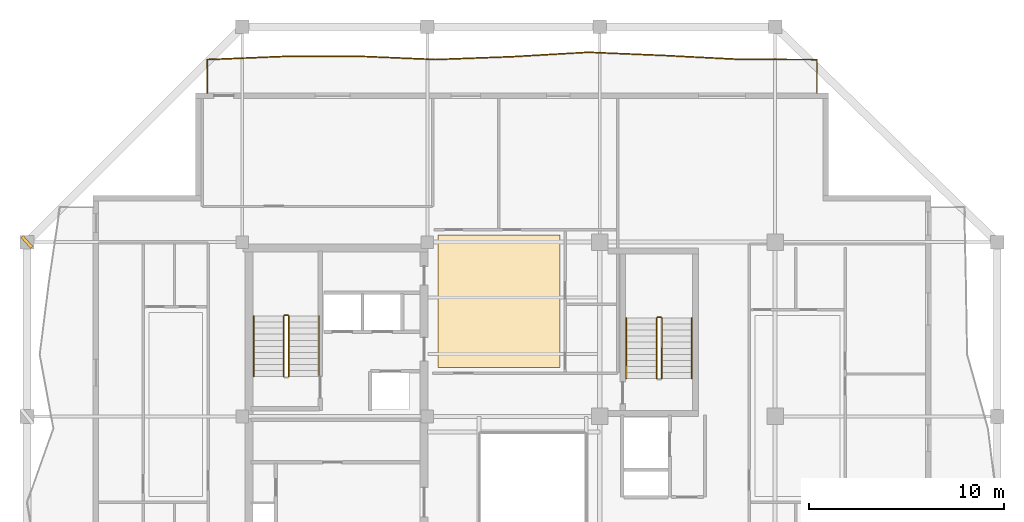
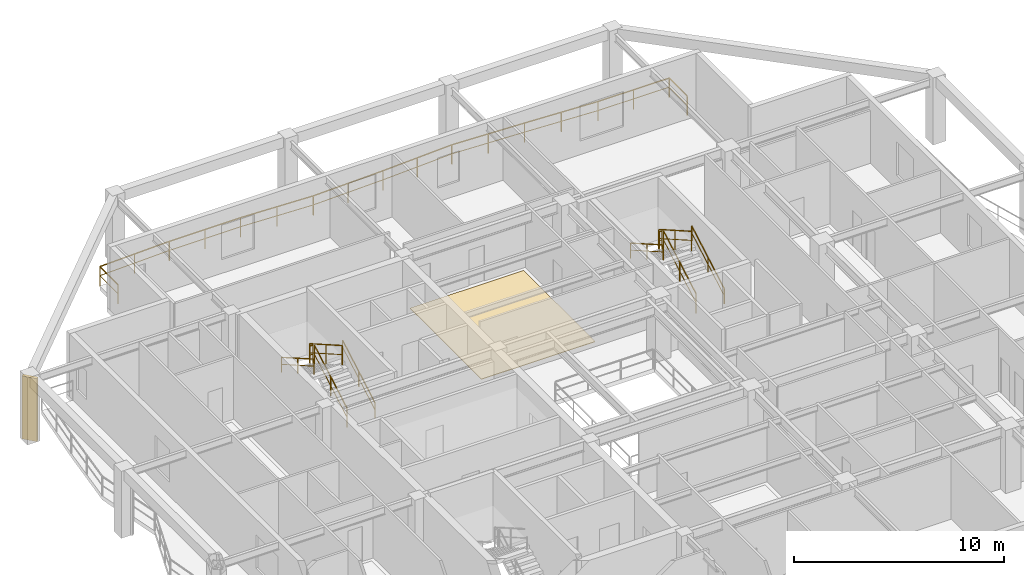
# One storey, part 10 of 11: 11 railings, 1 covering, 1 shading device.
"""IFC4 building model written with IfcOpenShell, lengths in metres."""

from ifc_helpers import new_model, si_unit, direction, frame, origin, origin_2d, place, context, subcontext, project, spatial, polyline, rectangle, outline, extrude, material, layer, layer_set, type_object, element, save


model = new_model("IFC4")

# Units and contexts
model_context = context("Model", 3, precision=1e-05, world=origin(), true_north=direction((0.0, 1.0)))
body_context = subcontext(model_context, "Body", "Model", "MODEL_VIEW")
ifc_project = project(units=[si_unit("LENGTHUNIT", "METRE"), si_unit("AREAUNIT", "SQUARE_METRE"), si_unit("VOLUMEUNIT", "CUBIC_METRE"), si_unit("PLANEANGLEUNIT", "RADIAN"), si_unit("MASSUNIT", "GRAM", prefix="KILO")], contexts=[model_context])

# Site, building, storey
site_placement = place(None, origin())
site = spatial("IfcSite", under=ifc_project, at=site_placement, CompositionType="ELEMENT")
building_placement = place(site_placement, origin())
building = spatial("IfcBuilding", under=site, at=building_placement, Name="Kundavana Baori Tower", CompositionType="ELEMENT")
storey_placement = place(building_placement, frame((0.0, 0.0, 221.89990234375)))
storey = spatial("IfcBuildingStorey", under=building, at=storey_placement, Name="L54", CompositionType="ELEMENT", Elevation=221.89990234375)

# Covering
ifc_material_1 = material(Name="Honed Kota Stone and Terrazzo Flooring", Category="masonry")
ifc_layer = layer(ifc_material_1, 0.030029296875, Name="COV-INT-FLR")
ifc_layer_set = layer_set([ifc_layer], Name="Honed Kota Stone and Terrazzo Flooring")
covering_type = type_object("IfcCoveringType", Name="COV-INT-FLR", PredefinedType="FLOORING", material=ifc_layer_set)
covering_placement = place(storey_placement, origin())
element("IfcCovering", 1, at=covering_placement, inside=storey, type_object=covering_type, Name="L54 Room Finished Stone Flooring 4", PredefinedType="FLOORING", context=body_context, shape_type="SweptSolid", body=[
    extrude(outline(polyline([(25.5, 35.5), (31.75, 35.5), (31.75, 42.31005859375), (25.5, 42.31005859375), (25.5, 35.5)])), origin(), (0.0, 0.0, 1.0), 0.030029296875),
])

# Railings
ifc_material_2 = material(Name="Architectural Patinated Bronze Metalwork")
railing_type_1 = type_object("IfcRailingType", Name="RL-BAL-1150", PredefinedType="BALUSTRADE", material=ifc_material_2)
railing_1_placement = place(storey_placement, frame((13.64990234375, 49.60009765625, 0.0)))
element("IfcRailing", 2, at=railing_1_placement, inside=storey, type_object=railing_type_1, Name="L54 Loggia Balcony Balustrade N", PredefinedType="BALUSTRADE", context=body_context, shape_type="SweptSolid", body=[
    extrude(rectangle(XDim=0.048095703125, YDim=0.048095703125, at=origin_2d()), frame((0.0, 0.0, 1.1259765625), z_axis=(0.0, 1.0, 0.0), x_axis=(-1.0, 0.0, 0.0)), (0.0, 0.0, 1.0), 1.719970703125),
    extrude(rectangle(XDim=0.03125, YDim=0.03125, at=origin_2d()), frame((0.0, 0.0, 0.597900390625), z_axis=(0.0, 1.0, 0.0), x_axis=(-1.0, 0.0, 0.0)), (0.0, 0.0, 1.0), 1.719970703125),
    extrude(rectangle(XDim=0.048095703125, YDim=0.048095703125, at=origin_2d()), frame((0.0, 1.719970703125, 1.1259765625), z_axis=(0.99915540504, 0.04109107663, 0.0), x_axis=(-0.04109107663, 0.99915540504, 0.0)), (0.0, 0.0, 1.0), 3.91552734375),
    extrude(rectangle(XDim=0.03125, YDim=0.03125, at=origin_2d()), frame((0.0, 1.719970703125, 0.597900390625), z_axis=(0.99915540504, 0.04109107663, 0.0), x_axis=(-0.04109107663, 0.99915540504, 0.0)), (0.0, 0.0, 1.0), 3.91552734375),
    extrude(rectangle(XDim=0.048095703125, YDim=0.048095703125, at=origin_2d()), frame((3.912109375, 1.880859375, 1.1259765625), z_axis=(0.999997335516, 0.002308454044, 0.0), x_axis=(-0.002308454044, 0.999997335516, 0.0)), (0.0, 0.0, 1.0), 3.9130859375),
    extrude(rectangle(XDim=0.03125, YDim=0.03125, at=origin_2d()), frame((3.912109375, 1.880859375, 0.597900390625), z_axis=(0.999997335516, 0.002308454044, 0.0), x_axis=(-0.002308454044, 0.999997335516, 0.0)), (0.0, 0.0, 1.0), 3.9130859375),
    extrude(rectangle(XDim=0.048095703125, YDim=0.048095703125, at=origin_2d()), frame((7.8251953125, 1.889892578125, 1.1259765625), z_axis=(0.999101128757, -0.042390264401, 0.0), x_axis=(0.042390264401, 0.999101128757, 0.0)), (0.0, 0.0, 1.0), 3.916259765625),
    extrude(rectangle(XDim=0.03125, YDim=0.03125, at=origin_2d()), frame((7.8251953125, 1.889892578125, 0.597900390625), z_axis=(0.999101128757, -0.042390264401, 0.0), x_axis=(0.042390264401, 0.999101128757, 0.0)), (0.0, 0.0, 1.0), 3.916259765625),
    extrude(rectangle(XDim=0.048095703125, YDim=0.048095703125, at=origin_2d()), frame((11.738037109375, 1.723876953125, 1.1259765625), z_axis=(0.99930437184, 0.037293061306, 0.0), x_axis=(-0.037293061306, 0.99930437184, 0.0)), (0.0, 0.0, 1.0), 3.914794921875),
    extrude(rectangle(XDim=0.03125, YDim=0.03125, at=origin_2d()), frame((11.738037109375, 1.723876953125, 0.597900390625), z_axis=(0.99930437184, 0.037293061306, 0.0), x_axis=(-0.037293061306, 0.99930437184, 0.0)), (0.0, 0.0, 1.0), 3.914794921875),
    extrude(rectangle(XDim=0.048095703125, YDim=0.048095703125, at=origin_2d()), frame((15.650146484375, 1.869873046875, 1.1259765625), z_axis=(0.99833504757, 0.057681303678, 0.0), x_axis=(-0.057681303678, 0.99833504757, 0.0)), (0.0, 0.0, 1.0), 3.91943359375),
    extrude(rectangle(XDim=0.03125, YDim=0.03125, at=origin_2d()), frame((15.650146484375, 1.869873046875, 0.597900390625), z_axis=(0.99833504757, 0.057681303678, 0.0), x_axis=(-0.057681303678, 0.99833504757, 0.0)), (0.0, 0.0, 1.0), 3.91943359375),
    extrude(rectangle(XDim=0.048095703125, YDim=0.048095703125, at=origin_2d()), frame((19.56298828125, 2.095947265625, 1.1259765625), z_axis=(0.999111326348, -0.042149229694, 0.0), x_axis=(0.042149229694, 0.999111326348, 0.0)), (0.0, 0.0, 1.0), 3.91552734375),
    extrude(rectangle(XDim=0.03125, YDim=0.03125, at=origin_2d()), frame((19.56298828125, 2.095947265625, 0.597900390625), z_axis=(0.999111326348, -0.042149229694, 0.0), x_axis=(0.042149229694, 0.999111326348, 0.0)), (0.0, 0.0, 1.0), 3.91552734375),
    extrude(rectangle(XDim=0.048095703125, YDim=0.048095703125, at=origin_2d()), frame((23.47509765625, 1.930908203125, 1.1259765625), z_axis=(0.998684310969, -0.051280084098, 0.0), x_axis=(0.051280084098, 0.998684310969, 0.0)), (0.0, 0.0, 1.0), 3.918212890625),
    extrude(rectangle(XDim=0.03125, YDim=0.03125, at=origin_2d()), frame((23.47509765625, 1.930908203125, 0.597900390625), z_axis=(0.998684310969, -0.051280084098, 0.0), x_axis=(0.051280084098, 0.998684310969, 0.0)), (0.0, 0.0, 1.0), 3.918212890625),
    extrude(rectangle(XDim=0.048095703125, YDim=0.048095703125, at=origin_2d()), frame((27.38818359375, 1.72998046875, 1.1259765625), z_axis=(0.999996726232, -0.002558813317, 0.0), x_axis=(0.002558813317, 0.999996726232, 0.0)), (0.0, 0.0, 1.0), 3.911865234375),
    extrude(rectangle(XDim=0.03125, YDim=0.03125, at=origin_2d()), frame((27.38818359375, 1.72998046875, 0.597900390625), z_axis=(0.999996726232, -0.002558813317, 0.0), x_axis=(0.002558813317, 0.999996726232, 0.0)), (0.0, 0.0, 1.0), 3.911865234375),
    extrude(rectangle(XDim=0.048095703125, YDim=0.048095703125, at=origin_2d()), frame((31.300048828125, 1.719970703125, 1.1259765625), z_axis=(0.0, -1.0, 0.0), x_axis=(1.0, 0.0, 0.0)), (0.0, 0.0, 1.0), 1.719970703125),
    extrude(rectangle(XDim=0.03125, YDim=0.03125, at=origin_2d()), frame((31.300048828125, 1.719970703125, 0.597900390625), z_axis=(0.0, -1.0, 0.0), x_axis=(1.0, 0.0, 0.0)), (0.0, 0.0, 1.0), 1.719970703125),
    extrude(rectangle(XDim=0.0419921875, YDim=0.0419921875, at=origin_2d()), origin(), (0.0, 0.0, 1.0), 1.101806640625),
    extrude(rectangle(XDim=0.0419921875, YDim=0.0419921875, at=origin_2d()), frame((0.0, 1.719970703125, 0.0)), (0.0, 0.0, 1.0), 1.101806640625),
    extrude(rectangle(XDim=0.0419921875, YDim=0.0419921875, at=origin_2d()), frame((1.9560546875, 1.80029296875, 0.0)), (0.0, 0.0, 1.0), 1.101806640625),
    extrude(rectangle(XDim=0.0419921875, YDim=0.0419921875, at=origin_2d()), frame((3.912109375, 1.880859375, 0.0)), (0.0, 0.0, 1.0), 1.101806640625),
    extrude(rectangle(XDim=0.0419921875, YDim=0.0419921875, at=origin_2d()), frame((5.86865234375, 1.88525390625, 0.0)), (0.0, 0.0, 1.0), 1.101806640625),
    extrude(rectangle(XDim=0.0419921875, YDim=0.0419921875, at=origin_2d()), frame((7.8251953125, 1.889892578125, 0.0)), (0.0, 0.0, 1.0), 1.101806640625),
    extrude(rectangle(XDim=0.0419921875, YDim=0.0419921875, at=origin_2d()), frame((9.78173828125, 1.806884765625, 0.0)), (0.0, 0.0, 1.0), 1.101806640625),
    extrude(rectangle(XDim=0.0419921875, YDim=0.0419921875, at=origin_2d()), frame((11.738037109375, 1.723876953125, 0.0)), (0.0, 0.0, 1.0), 1.101806640625),
    extrude(rectangle(XDim=0.0419921875, YDim=0.0419921875, at=origin_2d()), frame((13.694091796875, 1.796875, 0.0)), (0.0, 0.0, 1.0), 1.101806640625),
    extrude(rectangle(XDim=0.0419921875, YDim=0.0419921875, at=origin_2d()), frame((15.650146484375, 1.869873046875, 0.0)), (0.0, 0.0, 1.0), 1.101806640625),
    extrude(rectangle(XDim=0.0419921875, YDim=0.0419921875, at=origin_2d()), frame((17.6064453125, 1.98291015625, 0.0)), (0.0, 0.0, 1.0), 1.101806640625),
    extrude(rectangle(XDim=0.0419921875, YDim=0.0419921875, at=origin_2d()), frame((19.56298828125, 2.095947265625, 0.0)), (0.0, 0.0, 1.0), 1.101806640625),
    extrude(rectangle(XDim=0.0419921875, YDim=0.0419921875, at=origin_2d()), frame((21.51904296875, 2.013427734375, 0.0)), (0.0, 0.0, 1.0), 1.101806640625),
    extrude(rectangle(XDim=0.0419921875, YDim=0.0419921875, at=origin_2d()), frame((23.47509765625, 1.930908203125, 0.0)), (0.0, 0.0, 1.0), 1.101806640625),
    extrude(rectangle(XDim=0.0419921875, YDim=0.0419921875, at=origin_2d()), frame((25.431640625, 1.83056640625, 0.0)), (0.0, 0.0, 1.0), 1.101806640625),
    extrude(rectangle(XDim=0.0419921875, YDim=0.0419921875, at=origin_2d()), frame((27.38818359375, 1.72998046875, 0.0)), (0.0, 0.0, 1.0), 1.101806640625),
    extrude(rectangle(XDim=0.0419921875, YDim=0.0419921875, at=origin_2d()), frame((29.34423828125, 1.72509765625, 0.0)), (0.0, 0.0, 1.0), 1.101806640625),
    extrude(rectangle(XDim=0.0419921875, YDim=0.0419921875, at=origin_2d()), frame((31.300048828125, 1.719970703125, 0.0)), (0.0, 0.0, 1.0), 1.101806640625),
    extrude(rectangle(XDim=0.0419921875, YDim=0.0419921875, at=origin_2d()), frame((31.300048828125, 0.0, 0.0)), (0.0, 0.0, 1.0), 1.101806640625),
])
ifc_material_3 = material(Name="Architectural Patinated Bronze Metalwork")
railing_type_2 = type_object("IfcRailingType", Name="RL-GRD-1150", PredefinedType="GUARDRAIL", material=ifc_material_3)
railing_2_placement = place(storey_placement, frame((17.840087890625, 35.050048828125, 0.177490234375)))
element("IfcRailing", 3, at=railing_2_placement, inside=storey, type_object=railing_type_2, Name="L54 ST2 stair guard 1", PredefinedType="GUARDRAIL", context=body_context, shape_type="SweptSolid", body=[
    extrude(rectangle(XDim=0.048095703125, YDim=0.048095703125, at=origin_2d()), frame((0.0, 0.0, 1.1259765625), z_axis=(0.0, 0.868079009454, 0.496426060301), x_axis=(-1.0, 0.0, 0.0)), (0.0, 0.0, 1.0), 3.571044921875),
    extrude(rectangle(XDim=0.03125, YDim=0.03125, at=origin_2d()), frame((0.0, 0.0, 0.597900390625), z_axis=(0.0, 0.868079009454, 0.496426060301), x_axis=(-1.0, 0.0, 0.0)), (0.0, 0.0, 1.0), 3.571044921875),
    extrude(rectangle(XDim=0.0419921875, YDim=0.0419921875, at=origin_2d()), origin(), (0.0, 0.0, 1.0), 1.101806640625),
    extrude(rectangle(XDim=0.0419921875, YDim=0.0419921875, at=origin_2d()), frame((0.0, 1.5498046875, 0.88623046875)), (0.0, 0.0, 1.0), 1.101806640625),
    extrude(rectangle(XDim=0.0419921875, YDim=0.0419921875, at=origin_2d()), frame((0.0, 3.099853515625, 1.772705078125)), (0.0, 0.0, 1.0), 1.101806640625),
])
railing_3_placement = place(storey_placement, frame((17.7900390625, 38.199951171875, 1.9501953125)))
element("IfcRailing", 4, at=railing_3_placement, inside=storey, type_object=railing_type_2, Name="L54 ST2 stair guard 2", PredefinedType="GUARDRAIL", context=body_context, shape_type="SweptSolid", body=[
    extrude(rectangle(XDim=0.048095703125, YDim=0.048095703125, at=origin_2d()), frame((0.0, 0.0, 1.1259765625), z_axis=(-1.0, 0.0, 0.0), x_axis=(0.0, -1.0, 0.0)), (0.0, 0.0, 1.0), 0.16015625),
    extrude(rectangle(XDim=0.03125, YDim=0.03125, at=origin_2d()), frame((0.0, 0.0, 0.597900390625), z_axis=(-1.0, 0.0, 0.0), x_axis=(0.0, -1.0, 0.0)), (0.0, 0.0, 1.0), 0.16015625),
    extrude(rectangle(XDim=0.0419921875, YDim=0.0419921875, at=origin_2d()), origin(), (0.0, 0.0, 1.0), 1.101806640625),
    extrude(rectangle(XDim=0.0419921875, YDim=0.0419921875, at=origin_2d()), frame((-0.16015625, 0.0, 0.0)), (0.0, 0.0, 1.0), 1.101806640625),
])
railing_4_placement = place(storey_placement, frame((17.580078125, 38.14990234375, 2.12744140625)))
element("IfcRailing", 5, at=railing_4_placement, inside=storey, type_object=railing_type_2, Name="L54 ST2 stair guard 3", PredefinedType="GUARDRAIL", context=body_context, shape_type="SweptSolid", body=[
    extrude(rectangle(XDim=0.048095703125, YDim=0.048095703125, at=origin_2d()), frame((0.0, 0.0, 1.1259765625), z_axis=(0.0, -0.868079009454, 0.496426060301), x_axis=(1.0, 0.0, 0.0)), (0.0, 0.0, 1.0), 3.571044921875),
    extrude(rectangle(XDim=0.03125, YDim=0.03125, at=origin_2d()), frame((0.0, 0.0, 0.597900390625), z_axis=(0.0, -0.868079009454, 0.496426060301), x_axis=(1.0, 0.0, 0.0)), (0.0, 0.0, 1.0), 3.571044921875),
    extrude(rectangle(XDim=0.0419921875, YDim=0.0419921875, at=origin_2d()), origin(), (0.0, 0.0, 1.0), 1.101806640625),
    extrude(rectangle(XDim=0.0419921875, YDim=0.0419921875, at=origin_2d()), frame((0.0, -1.5498046875, 0.88623046875)), (0.0, 0.0, 1.0), 1.101806640625),
    extrude(rectangle(XDim=0.0419921875, YDim=0.0419921875, at=origin_2d()), frame((0.0, -3.099853515625, 1.772705078125)), (0.0, 0.0, 1.0), 1.101806640625),
])
railing_5_placement = place(storey_placement, frame((36.97998046875, 34.949951171875, 0.177490234375)))
element("IfcRailing", 6, at=railing_5_placement, inside=storey, type_object=railing_type_2, Name="L54 ST3 stair guard 1", PredefinedType="GUARDRAIL", context=body_context, shape_type="SweptSolid", body=[
    extrude(rectangle(XDim=0.048095703125, YDim=0.048095703125, at=origin_2d()), frame((0.0, 0.0, 1.1259765625), z_axis=(0.0, 0.868095856688, 0.496396599103), x_axis=(-1.0, 0.0, 0.0)), (0.0, 0.0, 1.0), 3.571044921875),
    extrude(rectangle(XDim=0.03125, YDim=0.03125, at=origin_2d()), frame((0.0, 0.0, 0.597900390625), z_axis=(0.0, 0.868095856688, 0.496396599103), x_axis=(-1.0, 0.0, 0.0)), (0.0, 0.0, 1.0), 3.571044921875),
    extrude(rectangle(XDim=0.0419921875, YDim=0.0419921875, at=origin_2d()), origin(), (0.0, 0.0, 1.0), 1.101806640625),
    extrude(rectangle(XDim=0.0419921875, YDim=0.0419921875, at=origin_2d()), frame((0.0, 1.550048828125, 0.88623046875)), (0.0, 0.0, 1.0), 1.101806640625),
    extrude(rectangle(XDim=0.0419921875, YDim=0.0419921875, at=origin_2d()), frame((0.0, 3.10009765625, 1.772705078125)), (0.0, 0.0, 1.0), 1.101806640625),
])
railing_6_placement = place(storey_placement, frame((36.929931640625, 38.10009765625, 1.9501953125)))
element("IfcRailing", 7, at=railing_6_placement, inside=storey, type_object=railing_type_2, Name="L54 ST3 stair guard 2", PredefinedType="GUARDRAIL", context=body_context, shape_type="SweptSolid", body=[
    extrude(rectangle(XDim=0.048095703125, YDim=0.048095703125, at=origin_2d()), frame((0.0, 0.0, 1.1259765625), z_axis=(-1.0, 0.0, 0.0), x_axis=(0.0, -1.0, 0.0)), (0.0, 0.0, 1.0), 0.159912109375),
    extrude(rectangle(XDim=0.03125, YDim=0.03125, at=origin_2d()), frame((0.0, 0.0, 0.597900390625), z_axis=(-1.0, 0.0, 0.0), x_axis=(0.0, -1.0, 0.0)), (0.0, 0.0, 1.0), 0.159912109375),
    extrude(rectangle(XDim=0.0419921875, YDim=0.0419921875, at=origin_2d()), origin(), (0.0, 0.0, 1.0), 1.101806640625),
    extrude(rectangle(XDim=0.0419921875, YDim=0.0419921875, at=origin_2d()), frame((-0.159912109375, 0.0, 0.0)), (0.0, 0.0, 1.0), 1.101806640625),
])
railing_7_placement = place(storey_placement, frame((36.719970703125, 38.050048828125, 2.12744140625)))
element("IfcRailing", 8, at=railing_7_placement, inside=storey, type_object=railing_type_2, Name="L54 ST3 stair guard 3", PredefinedType="GUARDRAIL", context=body_context, shape_type="SweptSolid", body=[
    extrude(rectangle(XDim=0.048095703125, YDim=0.048095703125, at=origin_2d()), frame((0.0, 0.0, 1.1259765625), z_axis=(0.0, -0.868095856688, 0.496396599103), x_axis=(1.0, 0.0, 0.0)), (0.0, 0.0, 1.0), 3.571044921875),
    extrude(rectangle(XDim=0.03125, YDim=0.03125, at=origin_2d()), frame((0.0, 0.0, 0.597900390625), z_axis=(0.0, -0.868095856688, 0.496396599103), x_axis=(1.0, 0.0, 0.0)), (0.0, 0.0, 1.0), 3.571044921875),
    extrude(rectangle(XDim=0.0419921875, YDim=0.0419921875, at=origin_2d()), origin(), (0.0, 0.0, 1.0), 1.101806640625),
    extrude(rectangle(XDim=0.0419921875, YDim=0.0419921875, at=origin_2d()), frame((0.0, -1.550048828125, 0.88623046875)), (0.0, 0.0, 1.0), 1.101806640625),
    extrude(rectangle(XDim=0.0419921875, YDim=0.0419921875, at=origin_2d()), frame((0.0, -3.10009765625, 1.772705078125)), (0.0, 0.0, 1.0), 1.101806640625),
])
ifc_material_4 = material(Name="Architectural Patinated Bronze Metalwork")
railing_type_3 = type_object("IfcRailingType", Name="RL-HND-920", PredefinedType="HANDRAIL", material=ifc_material_4)
railing_8_placement = place(storey_placement, frame((19.389892578125, 35.050048828125, 0.177490234375)))
element("IfcRailing", 9, at=railing_8_placement, inside=storey, type_object=railing_type_3, Name="L54 ST2 stair handrail 1", PredefinedType="HANDRAIL", context=body_context, shape_type="SweptSolid", body=[
    extrude(rectangle(XDim=0.048095703125, YDim=0.048095703125, at=origin_2d()), frame((0.0, 0.0, 0.8759765625), z_axis=(0.0, 0.868079009454, 0.496426060301), x_axis=(-1.0, 0.0, 0.0)), (0.0, 0.0, 1.0), 3.571044921875),
    extrude(rectangle(XDim=0.03125, YDim=0.03125, at=origin_2d()), frame((0.0, 0.0, 0.468017578125), z_axis=(0.0, 0.868079009454, 0.496426060301), x_axis=(-1.0, 0.0, 0.0)), (0.0, 0.0, 1.0), 3.571044921875),
    extrude(rectangle(XDim=0.0419921875, YDim=0.0419921875, at=origin_2d()), origin(), (0.0, 0.0, 1.0), 0.851806640625),
    extrude(rectangle(XDim=0.0419921875, YDim=0.0419921875, at=origin_2d()), frame((0.0, 1.5498046875, 0.88623046875)), (0.0, 0.0, 1.0), 0.851806640625),
    extrude(rectangle(XDim=0.0419921875, YDim=0.0419921875, at=origin_2d()), frame((0.0, 3.099853515625, 1.772705078125)), (0.0, 0.0, 1.0), 0.851806640625),
])
railing_9_placement = place(storey_placement, frame((16.030029296875, 38.14990234375, 2.12744140625)))
element("IfcRailing", 10, at=railing_9_placement, inside=storey, type_object=railing_type_3, Name="L54 ST2 stair handrail 2", PredefinedType="HANDRAIL", context=body_context, shape_type="SweptSolid", body=[
    extrude(rectangle(XDim=0.048095703125, YDim=0.048095703125, at=origin_2d()), frame((0.0, 0.0, 0.8759765625), z_axis=(0.0, -0.868079009454, 0.496426060301), x_axis=(1.0, 0.0, 0.0)), (0.0, 0.0, 1.0), 3.571044921875),
    extrude(rectangle(XDim=0.03125, YDim=0.03125, at=origin_2d()), frame((0.0, 0.0, 0.468017578125), z_axis=(0.0, -0.868079009454, 0.496426060301), x_axis=(1.0, 0.0, 0.0)), (0.0, 0.0, 1.0), 3.571044921875),
    extrude(rectangle(XDim=0.0419921875, YDim=0.0419921875, at=origin_2d()), origin(), (0.0, 0.0, 1.0), 0.851806640625),
    extrude(rectangle(XDim=0.0419921875, YDim=0.0419921875, at=origin_2d()), frame((0.0, -1.5498046875, 0.88623046875)), (0.0, 0.0, 1.0), 0.851806640625),
    extrude(rectangle(XDim=0.0419921875, YDim=0.0419921875, at=origin_2d()), frame((0.0, -3.099853515625, 1.772705078125)), (0.0, 0.0, 1.0), 0.851806640625),
])
railing_10_placement = place(storey_placement, frame((38.530029296875, 34.949951171875, 0.177490234375)))
element("IfcRailing", 11, at=railing_10_placement, inside=storey, type_object=railing_type_3, Name="L54 ST3 stair handrail 1", PredefinedType="HANDRAIL", context=body_context, shape_type="SweptSolid", body=[
    extrude(rectangle(XDim=0.048095703125, YDim=0.048095703125, at=origin_2d()), frame((0.0, 0.0, 0.8759765625), z_axis=(0.0, 0.868095856688, 0.496396599103), x_axis=(-1.0, 0.0, 0.0)), (0.0, 0.0, 1.0), 3.571044921875),
    extrude(rectangle(XDim=0.03125, YDim=0.03125, at=origin_2d()), frame((0.0, 0.0, 0.468017578125), z_axis=(0.0, 0.868095856688, 0.496396599103), x_axis=(-1.0, 0.0, 0.0)), (0.0, 0.0, 1.0), 3.571044921875),
    extrude(rectangle(XDim=0.0419921875, YDim=0.0419921875, at=origin_2d()), origin(), (0.0, 0.0, 1.0), 0.851806640625),
    extrude(rectangle(XDim=0.0419921875, YDim=0.0419921875, at=origin_2d()), frame((0.0, 1.550048828125, 0.88623046875)), (0.0, 0.0, 1.0), 0.851806640625),
    extrude(rectangle(XDim=0.0419921875, YDim=0.0419921875, at=origin_2d()), frame((0.0, 3.10009765625, 1.772705078125)), (0.0, 0.0, 1.0), 0.851806640625),
])
railing_11_placement = place(storey_placement, frame((35.169921875, 38.050048828125, 2.12744140625)))
element("IfcRailing", 12, at=railing_11_placement, inside=storey, type_object=railing_type_3, Name="L54 ST3 stair handrail 2", PredefinedType="HANDRAIL", context=body_context, shape_type="SweptSolid", body=[
    extrude(rectangle(XDim=0.048095703125, YDim=0.048095703125, at=origin_2d()), frame((0.0, 0.0, 0.8759765625), z_axis=(0.0, -0.868095856688, 0.496396599103), x_axis=(1.0, 0.0, 0.0)), (0.0, 0.0, 1.0), 3.571044921875),
    extrude(rectangle(XDim=0.03125, YDim=0.03125, at=origin_2d()), frame((0.0, 0.0, 0.468017578125), z_axis=(0.0, -0.868095856688, 0.496396599103), x_axis=(1.0, 0.0, 0.0)), (0.0, 0.0, 1.0), 3.571044921875),
    extrude(rectangle(XDim=0.0419921875, YDim=0.0419921875, at=origin_2d()), origin(), (0.0, 0.0, 1.0), 0.851806640625),
    extrude(rectangle(XDim=0.0419921875, YDim=0.0419921875, at=origin_2d()), frame((0.0, -1.550048828125, 0.88623046875)), (0.0, 0.0, 1.0), 0.851806640625),
    extrude(rectangle(XDim=0.0419921875, YDim=0.0419921875, at=origin_2d()), frame((0.0, -3.10009765625, 1.772705078125)), (0.0, 0.0, 1.0), 0.851806640625),
])

# Shading device
ifc_material_5 = material(Name="Red-Buff Dholpur Sandstone Cladding on Concrete C40/50", Category="masonry")
shading_device_type = type_object("IfcShadingDeviceType", Name="SHD-FIN-750", PredefinedType="JALOUSIE", material=ifc_material_5)
shading_device_placement = place(storey_placement, frame((4.39990234375, 41.949951171875, 0.0), z_axis=(0.0, 0.0, 1.0), x_axis=(0.745359656467, 0.666662570204, 0.0)))
element("IfcShadingDevice", 13, at=shading_device_placement, inside=storey, type_object=shading_device_type, Name="L54 Sweeping Dholpur Sandstone Facade Fin 8", PredefinedType="JALOUSIE", context=body_context, shape_type="SweptSolid", body=[
    extrude(rectangle(XDim=0.159912109375, YDim=0.75, at=origin_2d()), origin(), (0.0, 0.0, 1.0), 3.659912109375),
])

save(model, "model.ifc")
